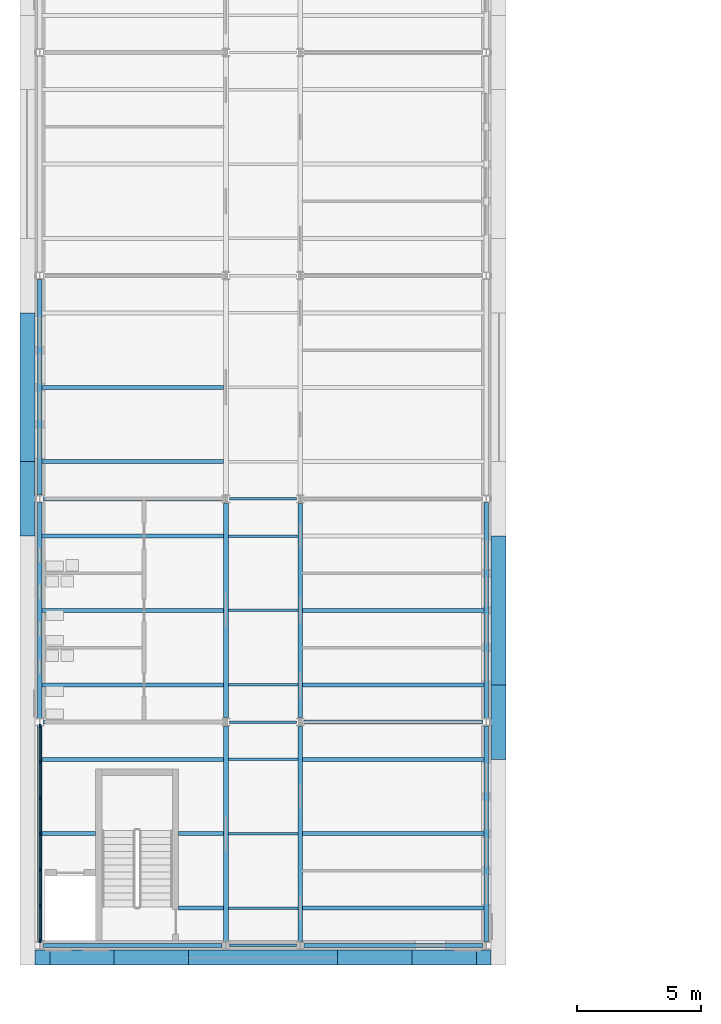
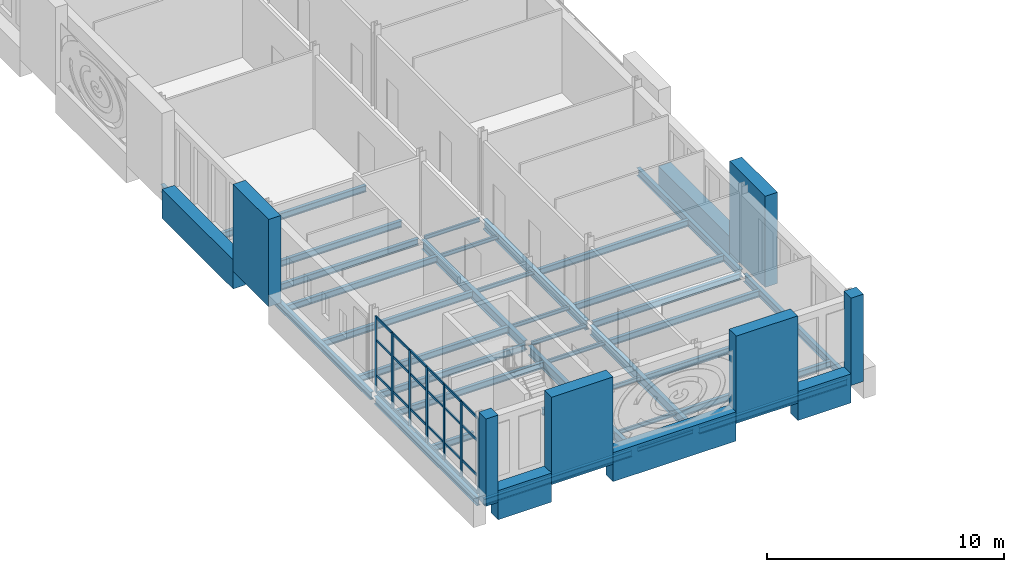
# One storey, part 24 of 131: 42 beams, 37 members, 1 element without a shape of its own.
"""IFC4 building model written with IfcOpenShell, lengths in metres."""

from ifc_helpers import new_model, si_unit, direction, frame, origin, origin_2d, place, context, subcontext, project, spatial, rectangle, i_section, extrude, material, layer, layer_set, material_profile, profile_set, type_object, element, aggregate, save


model = new_model("IFC4")

# Units and contexts
model_context = context("Model", 3, precision=1e-05, world=origin(), true_north=direction((0.0, 1.0)))
body_context = subcontext(model_context, "Body", "Model", "MODEL_VIEW")
ifc_project = project(units=[si_unit("LENGTHUNIT", "METRE"), si_unit("AREAUNIT", "SQUARE_METRE"), si_unit("VOLUMEUNIT", "CUBIC_METRE"), si_unit("PLANEANGLEUNIT", "RADIAN"), si_unit("MASSUNIT", "GRAM", prefix="KILO")], contexts=[model_context])

# Site, building, storey
site_placement = place(None, origin())
site = spatial("IfcSite", under=ifc_project, at=site_placement, CompositionType="ELEMENT")
building_placement = place(site_placement, origin())
building = spatial("IfcBuilding", under=site, at=building_placement, Name="Golden Quay Civic Hall", CompositionType="ELEMENT")
storey_placement = place(building_placement, frame((0.0, 0.0, 9.89990234375)))
storey = spatial("IfcBuildingStorey", under=building, at=storey_placement, Name="L02", CompositionType="ELEMENT", Elevation=9.89990234375)

# Curtain wall, members
ifc_material_1 = material(Name="Glass, laminated double glazed", Category="glass")
ifc_layer = layer(ifc_material_1, 0.199951171875)
ifc_layer_set = layer_set([ifc_layer], Name="Glazed core strip curtain wall")
curtain_wall_type = type_object("IfcCurtainWallType", Name="Glazed core strip curtain wall", PredefinedType="NOTDEFINED", material=ifc_layer_set)
curtain_wall_placement = place(storey_placement, origin())
curtain_wall = element("IfcCurtainWall", 1, at=curtain_wall_placement, inside=storey, type_object=curtain_wall_type, Name="Glazed core strip curtain wall L02 1", PredefinedType="NOTDEFINED")
ifc_material_2 = material(Name="Aluminium, anodised", Category="aluminium")
ifc_material_profile_1 = material_profile(ifc_material_2, rectangle(XDim=0.06005859375, YDim=0.159912109375, at=origin_2d()), Name="Aluminium 60 x 160")
ifc_profile_set_1 = profile_set([ifc_material_profile_1], Name="Aluminium, anodised")
member_type_1 = type_object("IfcMemberType", Name="Aluminium mullion 60 x 160", PredefinedType="MULLION", material=ifc_profile_set_1)
member_1_placement = place(storey_placement, frame((0.0, -8.824951171875, 0.0), z_axis=(0.0, 0.0, 1.0), x_axis=(-1.0, 0.0, 0.0)))
member_1 = element("IfcMember", 2, at=member_1_placement, type_object=member_type_1, Name="CW2 mullion 1", PredefinedType="MULLION", context=body_context, shape_type="SweptSolid", body=[
    extrude(rectangle(XDim=0.06005859375, YDim=0.159912109375, at=origin_2d()), origin(), (0.0, 0.0, 1.0), 3.900146484375),
])
member_2_placement = place(storey_placement, frame((0.0, -7.4033203125, 0.0), z_axis=(0.0, 0.0, 1.0), x_axis=(-1.0, 0.0, 0.0)))
member_2 = element("IfcMember", 3, at=member_2_placement, type_object=member_type_1, Name="CW2 mullion 2", PredefinedType="MULLION", context=body_context, shape_type="SweptSolid", body=[
    extrude(rectangle(XDim=0.06005859375, YDim=0.159912109375, at=origin_2d()), origin(), (0.0, 0.0, 1.0), 3.900146484375),
])
member_3_placement = place(storey_placement, frame((0.0, -5.95166015625, 0.0), z_axis=(0.0, 0.0, 1.0), x_axis=(-1.0, 0.0, 0.0)))
member_3 = element("IfcMember", 4, at=member_3_placement, type_object=member_type_1, Name="CW2 mullion 3", PredefinedType="MULLION", context=body_context, shape_type="SweptSolid", body=[
    extrude(rectangle(XDim=0.06005859375, YDim=0.159912109375, at=origin_2d()), origin(), (0.0, 0.0, 1.0), 3.900146484375),
])
member_4_placement = place(storey_placement, frame((0.0, -4.5, 0.0), z_axis=(0.0, 0.0, 1.0), x_axis=(-1.0, 0.0, 0.0)))
member_4 = element("IfcMember", 5, at=member_4_placement, type_object=member_type_1, Name="CW2 mullion 4", PredefinedType="MULLION", context=body_context, shape_type="SweptSolid", body=[
    extrude(rectangle(XDim=0.06005859375, YDim=0.159912109375, at=origin_2d()), origin(), (0.0, 0.0, 1.0), 3.900146484375),
])
member_5_placement = place(storey_placement, frame((0.0, -3.04833984375, 0.0), z_axis=(0.0, 0.0, 1.0), x_axis=(-1.0, 0.0, 0.0)))
member_5 = element("IfcMember", 6, at=member_5_placement, type_object=member_type_1, Name="CW2 mullion 5", PredefinedType="MULLION", context=body_context, shape_type="SweptSolid", body=[
    extrude(rectangle(XDim=0.06005859375, YDim=0.159912109375, at=origin_2d()), origin(), (0.0, 0.0, 1.0), 3.900146484375),
])
member_6_placement = place(storey_placement, frame((0.0, -1.5966796875, 0.0), z_axis=(0.0, 0.0, 1.0), x_axis=(-1.0, 0.0, 0.0)))
member_6 = element("IfcMember", 7, at=member_6_placement, type_object=member_type_1, Name="CW2 mullion 6", PredefinedType="MULLION", context=body_context, shape_type="SweptSolid", body=[
    extrude(rectangle(XDim=0.06005859375, YDim=0.159912109375, at=origin_2d()), origin(), (0.0, 0.0, 1.0), 3.900146484375),
])
member_7_placement = place(storey_placement, frame((0.0, -0.175048828125, 0.0), z_axis=(0.0, 0.0, 1.0), x_axis=(-1.0, 0.0, 0.0)))
member_7 = element("IfcMember", 8, at=member_7_placement, type_object=member_type_1, Name="CW2 mullion 7", PredefinedType="MULLION", context=body_context, shape_type="SweptSolid", body=[
    extrude(rectangle(XDim=0.06005859375, YDim=0.159912109375, at=origin_2d()), origin(), (0.0, 0.0, 1.0), 3.900146484375),
])
ifc_material_3 = material(Name="Aluminium, anodised", Category="aluminium")
ifc_material_profile_2 = material_profile(ifc_material_3, rectangle(XDim=0.06005859375, YDim=0.1201171875, at=origin_2d()), Name="Aluminium 60 x 120")
ifc_profile_set_2 = profile_set([ifc_material_profile_2], Name="Aluminium, anodised")
member_type_2 = type_object("IfcMemberType", Name="Aluminium transom 60 x 120", PredefinedType="USERDEFINED", material=ifc_profile_set_2)
member_8_placement = place(storey_placement, frame((0.0, -8.794921875, 0.030029296875), z_axis=(0.0, 1.0, 0.0), x_axis=(-1.0, 0.0, 0.0)))
member_8 = element("IfcMember", 9, at=member_8_placement, type_object=member_type_2, Name="CW2 transom 1.1", ObjectType="TRANSOM", PredefinedType="USERDEFINED", context=body_context, shape_type="SweptSolid", body=[
    extrude(rectangle(XDim=0.06005859375, YDim=0.1201171875, at=origin_2d()), origin(), (0.0, 0.0, 1.0), 1.361572265625),
])
member_9_placement = place(storey_placement, frame((0.0, -8.794921875, 0.900146484375), z_axis=(0.0, 1.0, 0.0), x_axis=(-1.0, 0.0, 0.0)))
member_9 = element("IfcMember", 10, at=member_9_placement, type_object=member_type_2, Name="CW2 transom 1.2", ObjectType="TRANSOM", PredefinedType="USERDEFINED", context=body_context, shape_type="SweptSolid", body=[
    extrude(rectangle(XDim=0.06005859375, YDim=0.1201171875, at=origin_2d()), origin(), (0.0, 0.0, 1.0), 1.361572265625),
])
member_10_placement = place(storey_placement, frame((0.0, -8.794921875, 2.7001953125), z_axis=(0.0, 1.0, 0.0), x_axis=(-1.0, 0.0, 0.0)))
member_10 = element("IfcMember", 11, at=member_10_placement, type_object=member_type_2, Name="CW2 transom 1.3", ObjectType="TRANSOM", PredefinedType="USERDEFINED", context=body_context, shape_type="SweptSolid", body=[
    extrude(rectangle(XDim=0.06005859375, YDim=0.1201171875, at=origin_2d()), origin(), (0.0, 0.0, 1.0), 1.361572265625),
])
member_11_placement = place(storey_placement, frame((0.0, -8.794921875, 3.8701171875), z_axis=(0.0, 1.0, 0.0), x_axis=(-1.0, 0.0, 0.0)))
member_11 = element("IfcMember", 12, at=member_11_placement, type_object=member_type_2, Name="CW2 transom 1.4", ObjectType="TRANSOM", PredefinedType="USERDEFINED", context=body_context, shape_type="SweptSolid", body=[
    extrude(rectangle(XDim=0.06005859375, YDim=0.1201171875, at=origin_2d()), origin(), (0.0, 0.0, 1.0), 1.361572265625),
])
member_12_placement = place(storey_placement, frame((0.0, -7.373291015625, 0.030029296875), z_axis=(0.0, 1.0, 0.0), x_axis=(-1.0, 0.0, 0.0)))
member_12 = element("IfcMember", 13, at=member_12_placement, type_object=member_type_2, Name="CW2 transom 2.1", ObjectType="TRANSOM", PredefinedType="USERDEFINED", context=body_context, shape_type="SweptSolid", body=[
    extrude(rectangle(XDim=0.06005859375, YDim=0.1201171875, at=origin_2d()), origin(), (0.0, 0.0, 1.0), 1.3916015625),
])
member_13_placement = place(storey_placement, frame((0.0, -7.373291015625, 0.900146484375), z_axis=(0.0, 1.0, 0.0), x_axis=(-1.0, 0.0, 0.0)))
member_13 = element("IfcMember", 14, at=member_13_placement, type_object=member_type_2, Name="CW2 transom 2.2", ObjectType="TRANSOM", PredefinedType="USERDEFINED", context=body_context, shape_type="SweptSolid", body=[
    extrude(rectangle(XDim=0.06005859375, YDim=0.1201171875, at=origin_2d()), origin(), (0.0, 0.0, 1.0), 1.3916015625),
])
member_14_placement = place(storey_placement, frame((0.0, -7.373291015625, 2.7001953125), z_axis=(0.0, 1.0, 0.0), x_axis=(-1.0, 0.0, 0.0)))
member_14 = element("IfcMember", 15, at=member_14_placement, type_object=member_type_2, Name="CW2 transom 2.3", ObjectType="TRANSOM", PredefinedType="USERDEFINED", context=body_context, shape_type="SweptSolid", body=[
    extrude(rectangle(XDim=0.06005859375, YDim=0.1201171875, at=origin_2d()), origin(), (0.0, 0.0, 1.0), 1.3916015625),
])
member_15_placement = place(storey_placement, frame((0.0, -7.373291015625, 3.8701171875), z_axis=(0.0, 1.0, 0.0), x_axis=(-1.0, 0.0, 0.0)))
member_15 = element("IfcMember", 16, at=member_15_placement, type_object=member_type_2, Name="CW2 transom 2.4", ObjectType="TRANSOM", PredefinedType="USERDEFINED", context=body_context, shape_type="SweptSolid", body=[
    extrude(rectangle(XDim=0.06005859375, YDim=0.1201171875, at=origin_2d()), origin(), (0.0, 0.0, 1.0), 1.3916015625),
])
member_16_placement = place(storey_placement, frame((0.0, -5.921630859375, 0.030029296875), z_axis=(0.0, 1.0, 0.0), x_axis=(-1.0, 0.0, 0.0)))
member_16 = element("IfcMember", 17, at=member_16_placement, type_object=member_type_2, Name="CW2 transom 3.1", ObjectType="TRANSOM", PredefinedType="USERDEFINED", context=body_context, shape_type="SweptSolid", body=[
    extrude(rectangle(XDim=0.06005859375, YDim=0.1201171875, at=origin_2d()), origin(), (0.0, 0.0, 1.0), 1.3916015625),
])
member_17_placement = place(storey_placement, frame((0.0, -5.921630859375, 0.900146484375), z_axis=(0.0, 1.0, 0.0), x_axis=(-1.0, 0.0, 0.0)))
member_17 = element("IfcMember", 18, at=member_17_placement, type_object=member_type_2, Name="CW2 transom 3.2", ObjectType="TRANSOM", PredefinedType="USERDEFINED", context=body_context, shape_type="SweptSolid", body=[
    extrude(rectangle(XDim=0.06005859375, YDim=0.1201171875, at=origin_2d()), origin(), (0.0, 0.0, 1.0), 1.3916015625),
])
member_18_placement = place(storey_placement, frame((0.0, -5.921630859375, 2.7001953125), z_axis=(0.0, 1.0, 0.0), x_axis=(-1.0, 0.0, 0.0)))
member_18 = element("IfcMember", 19, at=member_18_placement, type_object=member_type_2, Name="CW2 transom 3.3", ObjectType="TRANSOM", PredefinedType="USERDEFINED", context=body_context, shape_type="SweptSolid", body=[
    extrude(rectangle(XDim=0.06005859375, YDim=0.1201171875, at=origin_2d()), origin(), (0.0, 0.0, 1.0), 1.3916015625),
])
member_19_placement = place(storey_placement, frame((0.0, -5.921630859375, 3.8701171875), z_axis=(0.0, 1.0, 0.0), x_axis=(-1.0, 0.0, 0.0)))
member_19 = element("IfcMember", 20, at=member_19_placement, type_object=member_type_2, Name="CW2 transom 3.4", ObjectType="TRANSOM", PredefinedType="USERDEFINED", context=body_context, shape_type="SweptSolid", body=[
    extrude(rectangle(XDim=0.06005859375, YDim=0.1201171875, at=origin_2d()), origin(), (0.0, 0.0, 1.0), 1.3916015625),
])
member_20_placement = place(storey_placement, frame((0.0, -4.469970703125, 0.030029296875), z_axis=(0.0, 1.0, 0.0), x_axis=(-1.0, 0.0, 0.0)))
member_20 = element("IfcMember", 21, at=member_20_placement, type_object=member_type_2, Name="CW2 transom 4.1", ObjectType="TRANSOM", PredefinedType="USERDEFINED", context=body_context, shape_type="SweptSolid", body=[
    extrude(rectangle(XDim=0.06005859375, YDim=0.1201171875, at=origin_2d()), origin(), (0.0, 0.0, 1.0), 1.3916015625),
])
member_21_placement = place(storey_placement, frame((0.0, -4.469970703125, 0.900146484375), z_axis=(0.0, 1.0, 0.0), x_axis=(-1.0, 0.0, 0.0)))
member_21 = element("IfcMember", 22, at=member_21_placement, type_object=member_type_2, Name="CW2 transom 4.2", ObjectType="TRANSOM", PredefinedType="USERDEFINED", context=body_context, shape_type="SweptSolid", body=[
    extrude(rectangle(XDim=0.06005859375, YDim=0.1201171875, at=origin_2d()), origin(), (0.0, 0.0, 1.0), 1.3916015625),
])
member_22_placement = place(storey_placement, frame((0.0, -4.469970703125, 2.7001953125), z_axis=(0.0, 1.0, 0.0), x_axis=(-1.0, 0.0, 0.0)))
member_22 = element("IfcMember", 23, at=member_22_placement, type_object=member_type_2, Name="CW2 transom 4.3", ObjectType="TRANSOM", PredefinedType="USERDEFINED", context=body_context, shape_type="SweptSolid", body=[
    extrude(rectangle(XDim=0.06005859375, YDim=0.1201171875, at=origin_2d()), origin(), (0.0, 0.0, 1.0), 1.3916015625),
])
member_23_placement = place(storey_placement, frame((0.0, -4.469970703125, 3.8701171875), z_axis=(0.0, 1.0, 0.0), x_axis=(-1.0, 0.0, 0.0)))
member_23 = element("IfcMember", 24, at=member_23_placement, type_object=member_type_2, Name="CW2 transom 4.4", ObjectType="TRANSOM", PredefinedType="USERDEFINED", context=body_context, shape_type="SweptSolid", body=[
    extrude(rectangle(XDim=0.06005859375, YDim=0.1201171875, at=origin_2d()), origin(), (0.0, 0.0, 1.0), 1.3916015625),
])
member_24_placement = place(storey_placement, frame((0.0, -3.018310546875, 0.030029296875), z_axis=(0.0, 1.0, 0.0), x_axis=(-1.0, 0.0, 0.0)))
member_24 = element("IfcMember", 25, at=member_24_placement, type_object=member_type_2, Name="CW2 transom 5.1", ObjectType="TRANSOM", PredefinedType="USERDEFINED", context=body_context, shape_type="SweptSolid", body=[
    extrude(rectangle(XDim=0.06005859375, YDim=0.1201171875, at=origin_2d()), origin(), (0.0, 0.0, 1.0), 1.3916015625),
])
member_25_placement = place(storey_placement, frame((0.0, -3.018310546875, 0.900146484375), z_axis=(0.0, 1.0, 0.0), x_axis=(-1.0, 0.0, 0.0)))
member_25 = element("IfcMember", 26, at=member_25_placement, type_object=member_type_2, Name="CW2 transom 5.2", ObjectType="TRANSOM", PredefinedType="USERDEFINED", context=body_context, shape_type="SweptSolid", body=[
    extrude(rectangle(XDim=0.06005859375, YDim=0.1201171875, at=origin_2d()), origin(), (0.0, 0.0, 1.0), 1.3916015625),
])
member_26_placement = place(storey_placement, frame((0.0, -3.018310546875, 2.7001953125), z_axis=(0.0, 1.0, 0.0), x_axis=(-1.0, 0.0, 0.0)))
member_26 = element("IfcMember", 27, at=member_26_placement, type_object=member_type_2, Name="CW2 transom 5.3", ObjectType="TRANSOM", PredefinedType="USERDEFINED", context=body_context, shape_type="SweptSolid", body=[
    extrude(rectangle(XDim=0.06005859375, YDim=0.1201171875, at=origin_2d()), origin(), (0.0, 0.0, 1.0), 1.3916015625),
])
member_27_placement = place(storey_placement, frame((0.0, -3.018310546875, 3.8701171875), z_axis=(0.0, 1.0, 0.0), x_axis=(-1.0, 0.0, 0.0)))
member_27 = element("IfcMember", 28, at=member_27_placement, type_object=member_type_2, Name="CW2 transom 5.4", ObjectType="TRANSOM", PredefinedType="USERDEFINED", context=body_context, shape_type="SweptSolid", body=[
    extrude(rectangle(XDim=0.06005859375, YDim=0.1201171875, at=origin_2d()), origin(), (0.0, 0.0, 1.0), 1.3916015625),
])
member_28_placement = place(storey_placement, frame((0.0, -1.566650390625, 0.030029296875), z_axis=(0.0, 1.0, 0.0), x_axis=(-1.0, 0.0, 0.0)))
member_28 = element("IfcMember", 29, at=member_28_placement, type_object=member_type_2, Name="CW2 transom 6.1", ObjectType="TRANSOM", PredefinedType="USERDEFINED", context=body_context, shape_type="SweptSolid", body=[
    extrude(rectangle(XDim=0.06005859375, YDim=0.1201171875, at=origin_2d()), origin(), (0.0, 0.0, 1.0), 1.361572265625),
])
member_29_placement = place(storey_placement, frame((0.0, -1.566650390625, 0.900146484375), z_axis=(0.0, 1.0, 0.0), x_axis=(-1.0, 0.0, 0.0)))
member_29 = element("IfcMember", 30, at=member_29_placement, type_object=member_type_2, Name="CW2 transom 6.2", ObjectType="TRANSOM", PredefinedType="USERDEFINED", context=body_context, shape_type="SweptSolid", body=[
    extrude(rectangle(XDim=0.06005859375, YDim=0.1201171875, at=origin_2d()), origin(), (0.0, 0.0, 1.0), 1.361572265625),
])
member_30_placement = place(storey_placement, frame((0.0, -1.566650390625, 2.7001953125), z_axis=(0.0, 1.0, 0.0), x_axis=(-1.0, 0.0, 0.0)))
member_30 = element("IfcMember", 31, at=member_30_placement, type_object=member_type_2, Name="CW2 transom 6.3", ObjectType="TRANSOM", PredefinedType="USERDEFINED", context=body_context, shape_type="SweptSolid", body=[
    extrude(rectangle(XDim=0.06005859375, YDim=0.1201171875, at=origin_2d()), origin(), (0.0, 0.0, 1.0), 1.361572265625),
])
member_31_placement = place(storey_placement, frame((0.0, -1.566650390625, 3.8701171875), z_axis=(0.0, 1.0, 0.0), x_axis=(-1.0, 0.0, 0.0)))
member_31 = element("IfcMember", 32, at=member_31_placement, type_object=member_type_2, Name="CW2 transom 6.4", ObjectType="TRANSOM", PredefinedType="USERDEFINED", context=body_context, shape_type="SweptSolid", body=[
    extrude(rectangle(XDim=0.06005859375, YDim=0.1201171875, at=origin_2d()), origin(), (0.0, 0.0, 1.0), 1.361572265625),
])
aggregate(curtain_wall, [member_1, member_2, member_3, member_4, member_5, member_6, member_7, member_8, member_9, member_10, member_11, member_12, member_13, member_14, member_15, member_16, member_17, member_18, member_19, member_20, member_21, member_22, member_23, member_24, member_25, member_26, member_27, member_28, member_29, member_30, member_31])

# Members
ifc_material_4 = material(Name="Concrete C40/50", Category="concrete")
ifc_material_profile_3 = material_profile(ifc_material_4, rectangle(XDim=3.0, YDim=0.60009765625, at=origin_2d()), Name="RC 3000x600")
ifc_profile_set_3 = profile_set([ifc_material_profile_3], Name="Concrete C40/50")
member_type_3 = type_object("IfcMemberType", Name="Precast concrete facade pier 3000 x 600", PredefinedType="POST", material=ifc_profile_set_3)
member_32_placement = place(storey_placement, frame((-0.5, 9.0, 0.0), z_axis=(0.0, 0.0, 1.0), x_axis=(0.0, 1.0, 0.0)))
element("IfcMember", 33, at=member_32_placement, inside=storey, type_object=member_type_3, Name="Precast concrete facade pier 3000 x 600 L02 1", PredefinedType="POST", context=body_context, shape_type="SweptSolid", body=[
    extrude(rectangle(XDim=3.0, YDim=0.60009765625, at=origin_2d()), origin(), (0.0, 0.0, 1.0), 4.5),
])
member_33_placement = place(storey_placement, frame((18.5, 0.0, -0.199951171875), z_axis=(0.0, 0.0, 1.0), x_axis=(0.0, 1.0, 0.0)))
element("IfcMember", 34, at=member_33_placement, inside=storey, type_object=member_type_3, Name="Precast concrete facade pier 3000 x 600 L02 11", PredefinedType="POST", context=body_context, shape_type="SweptSolid", body=[
    extrude(rectangle(XDim=3.0, YDim=0.60009765625, at=origin_2d()), origin(), (0.0, 0.0, 1.0), 4.699951171875),
])
for number, where, z_axis, x_axis, name in (
    (35, (4.5, -9.5, 0.0), (0.0, 0.0, 1.0), (1.0, 0.0, 0.0), "Precast concrete facade pier 3000 x 600 L02 17"),
    (36, (13.5, -9.5, 0.0), (0.0, 0.0, 1.0), (1.0, 0.0, 0.0), "Precast concrete facade pier 3000 x 600 L02 18"),
):
    element("IfcMember", number, at=place(storey_placement, frame(where, z_axis=z_axis, x_axis=x_axis)), inside=storey, type_object=member_type_3, Name=name, PredefinedType="POST", context=body_context, shape_type="SweptSolid", body=[
        extrude(rectangle(XDim=3.0, YDim=0.60009765625, at=origin_2d()), origin(), (0.0, 0.0, 1.0), 4.5),
    ])
ifc_material_5 = material(Name="Concrete C40/50", Category="concrete")
ifc_material_profile_4 = material_profile(ifc_material_5, rectangle(XDim=0.60009765625, YDim=0.60009765625, at=origin_2d()), Name="RC 600x600")
ifc_profile_set_4 = profile_set([ifc_material_profile_4], Name="Concrete C40/50")
member_type_4 = type_object("IfcMemberType", Name="Precast concrete facade post 600 x 600", PredefinedType="POST", material=ifc_profile_set_4)
for number, where, z_axis, x_axis, name in (
    (37, (0.10009765625, -9.5, 0.0), (0.0, 0.0, 1.0), (1.0, 0.0, 0.0), "Precast concrete facade post 600 x 600 L02 4"),
    (38, (17.89990234375, -9.5, 0.0), (0.0, 0.0, 1.0), (1.0, 0.0, 0.0), "Precast concrete facade post 600 x 600 L02 5"),
):
    element("IfcMember", number, at=place(storey_placement, frame(where, z_axis=z_axis, x_axis=x_axis)), inside=storey, type_object=member_type_4, Name=name, PredefinedType="POST", context=body_context, shape_type="SweptSolid", body=[
        extrude(rectangle(XDim=0.60009765625, YDim=0.60009765625, at=origin_2d()), origin(), (0.0, 0.0, 1.0), 4.5),
    ])

# Beams
ifc_material_6 = material(Name="Concrete C40/50", Category="concrete")
ifc_material_profile_5 = material_profile(ifc_material_6, rectangle(XDim=0.60009765625, YDim=1.5, at=origin_2d()), Name="RC 600x1500")
ifc_profile_set_5 = profile_set([ifc_material_profile_5], Name="Concrete C40/50")
beam_type_1 = type_object("IfcBeamType", Name="Precast concrete spandrel beam 600 x 1500", PredefinedType="SPANDREL", material=ifc_profile_set_5)
beam_1_placement = place(storey_placement, frame((-0.5, 10.5, -0.14990234375), z_axis=(0.0, 1.0, 0.0), x_axis=(-1.0, 0.0, 0.0)))
element("IfcBeam", 39, at=beam_1_placement, inside=storey, type_object=beam_type_1, Name="Precast concrete spandrel beam 600 x 1500 L02 11", PredefinedType="SPANDREL", context=body_context, shape_type="SweptSolid", body=[
    extrude(rectangle(XDim=0.60009765625, YDim=1.5, at=origin_2d()), origin(), (0.0, 0.0, 1.0), 6.0),
])
for number, where, z_axis, x_axis, name in (
    (40, (0.39990234375, -9.5, -0.14990234375), (1.0, 0.0, 0.0), (0.0, 1.0, 0.0), "Precast concrete spandrel beam 600 x 1500 L02 12"),
    (41, (15.0, -9.5, -0.14990234375), (1.0, 0.0, 0.0), (0.0, 1.0, 0.0), "Precast concrete spandrel beam 600 x 1500 L02 13"),
):
    element("IfcBeam", number, at=place(storey_placement, frame(where, z_axis=z_axis, x_axis=x_axis)), inside=storey, type_object=beam_type_1, Name=name, PredefinedType="SPANDREL", context=body_context, shape_type="SweptSolid", body=[
        extrude(rectangle(XDim=0.60009765625, YDim=1.5, at=origin_2d()), origin(), (0.0, 0.0, 1.0), 2.60009765625),
    ])
for number, where, z_axis, x_axis, name in (
    (42, (6.0, -9.5, -0.14990234375), (1.0, 0.0, 0.0), (0.0, 1.0, 0.0), "Precast concrete spandrel beam 600 x 1500 L02 14"),
    (43, (18.5, 1.5, -0.14990234375), (0.0, 1.0, 0.0), (-1.0, 0.0, 0.0), "Precast concrete spandrel beam 600 x 1500 L02 19"),
):
    element("IfcBeam", number, at=place(storey_placement, frame(where, z_axis=z_axis, x_axis=x_axis)), inside=storey, type_object=beam_type_1, Name=name, PredefinedType="SPANDREL", context=body_context, shape_type="SweptSolid", body=[
        extrude(rectangle(XDim=0.60009765625, YDim=1.5, at=origin_2d()), origin(), (0.0, 0.0, 1.0), 6.0),
    ])
ifc_material_7 = material(Name="Steel S355", Category="steel")
ifc_material_profile_6 = material_profile(ifc_material_7, i_section(OverallWidth=0.10009765625, OverallDepth=0.199951171875, WebThickness=0.005615234375, FlangeThickness=0.008544921875, FilletRadius=0.011962890625, at=origin_2d()), Name="IPE 200")
ifc_profile_set_6 = profile_set([ifc_material_profile_6], Name="Steel S355")
beam_type_2 = type_object("IfcBeamType", Name="Steel beam IPE 200", PredefinedType="BEAM", material=ifc_profile_set_6)
for number, where, z_axis, x_axis, name in (
    (44, (7.64990234375, -9.0, -0.2998046875), (1.0, 0.0, 0.0), (0.0, 1.0, 0.0), "Beam S-9-7.5"),
    (45, (7.64990234375, 0.0, -0.2998046875), (1.0, 0.0, 0.0), (0.0, 1.0, 0.0), "Beam S0-7.5"),
    (46, (7.64990234375, 9.0, -0.2998046875), (1.0, 0.0, 0.0), (0.0, 1.0, 0.0), "Beam S9-7.5"),
):
    element("IfcBeam", number, at=place(storey_placement, frame(where, z_axis=z_axis, x_axis=x_axis)), inside=storey, type_object=beam_type_2, Name=name, PredefinedType="BEAM", context=body_context, shape_type="SweptSolid", body=[
        extrude(i_section(OverallWidth=0.10009765625, OverallDepth=0.199951171875, WebThickness=0.005615234375, FlangeThickness=0.008544921875, FilletRadius=0.011962890625, at=origin_2d()), origin(), (0.0, 0.0, 1.0), 2.7001953125),
    ])
ifc_material_8 = material(Name="Steel S355", Category="steel")
ifc_material_profile_7 = material_profile(ifc_material_8, i_section(OverallWidth=0.159912109375, OverallDepth=0.330078125, WebThickness=0.007568359375, FlangeThickness=0.011474609375, FilletRadius=0.01806640625, at=origin_2d()), Name="IPE 330")
ifc_profile_set_7 = profile_set([ifc_material_profile_7], Name="Steel S355")
beam_type_3 = type_object("IfcBeamType", Name="Steel beam IPE 330", PredefinedType="BEAM", material=ifc_profile_set_7)
for number, where, z_axis, x_axis, name in (
    (47, (0.14990234375, -9.0, -0.364990234375), (1.0, 0.0, 0.0), (0.0, 1.0, 0.0), "Beam S-9-0"),
    (48, (10.64990234375, -9.0, -0.364990234375), (1.0, 0.0, 0.0), (0.0, 1.0, 0.0), "Beam S-9-10.5"),
    (49, (0.14990234375, 0.0, -0.364990234375), (1.0, 0.0, 0.0), (0.0, 1.0, 0.0), "Beam S0-0"),
    (50, (10.64990234375, 0.0, -0.364990234375), (1.0, 0.0, 0.0), (0.0, 1.0, 0.0), "Beam S0-10.5"),
    (51, (0.14990234375, 9.0, -0.364990234375), (1.0, 0.0, 0.0), (0.0, 1.0, 0.0), "Beam S9-0"),
):
    element("IfcBeam", number, at=place(storey_placement, frame(where, z_axis=z_axis, x_axis=x_axis)), inside=storey, type_object=beam_type_3, Name=name, PredefinedType="BEAM", context=body_context, shape_type="SweptSolid", body=[
        extrude(i_section(OverallWidth=0.159912109375, OverallDepth=0.330078125, WebThickness=0.007568359375, FlangeThickness=0.011474609375, FilletRadius=0.01806640625, at=origin_2d()), origin(), (0.0, 0.0, 1.0), 7.2001953125),
    ])
ifc_material_9 = material(Name="Steel S355", Category="steel")
ifc_material_profile_8 = material_profile(ifc_material_9, i_section(OverallWidth=0.179931640625, OverallDepth=0.39990234375, WebThickness=0.008544921875, FlangeThickness=0.013427734375, FilletRadius=0.02099609375, at=origin_2d()), Name="IPE 400")
ifc_profile_set_8 = profile_set([ifc_material_profile_8], Name="Steel S355")
beam_type_4 = type_object("IfcBeamType", Name="Steel beam IPE 400", PredefinedType="BEAM", material=ifc_profile_set_8)
for number, where, z_axis, x_axis, name in (
    (52, (0.0, -8.85009765625, -0.39990234375), (0.0, 1.0, 0.0), (-1.0, 0.0, 0.0), "Beam L0--9"),
    (53, (0.0, 0.14990234375, -0.39990234375), (0.0, 1.0, 0.0), (-1.0, 0.0, 0.0), "Beam L0-0"),
    (54, (0.0, 9.14990234375, -0.39990234375), (0.0, 1.0, 0.0), (-1.0, 0.0, 0.0), "Beam L0-9"),
    (55, (18.0, -8.85009765625, -0.39990234375), (0.0, 1.0, 0.0), (-1.0, 0.0, 0.0), "Beam L18--9"),
    (56, (18.0, 0.14990234375, -0.39990234375), (0.0, 1.0, 0.0), (-1.0, 0.0, 0.0), "Beam L18-0"),
):
    element("IfcBeam", number, at=place(storey_placement, frame(where, z_axis=z_axis, x_axis=x_axis)), inside=storey, type_object=beam_type_4, Name=name, PredefinedType="BEAM", context=body_context, shape_type="SweptSolid", body=[
        extrude(i_section(OverallWidth=0.179931640625, OverallDepth=0.39990234375, WebThickness=0.008544921875, FlangeThickness=0.013427734375, FilletRadius=0.02099609375, at=origin_2d()), origin(), (0.0, 0.0, 1.0), 8.7001953125),
    ])
ifc_material_10 = material(Name="Steel S355", Category="steel")
ifc_material_profile_9 = material_profile(ifc_material_10, i_section(OverallWidth=0.199951171875, OverallDepth=0.5, WebThickness=0.01025390625, FlangeThickness=0.01611328125, FilletRadius=0.02099609375, at=origin_2d()), Name="IPE 500")
ifc_profile_set_9 = profile_set([ifc_material_profile_9], Name="Steel S355")
beam_type_5 = type_object("IfcBeamType", Name="Steel beam IPE 500", PredefinedType="BEAM", material=ifc_profile_set_9)
beam_2_placement = place(storey_placement, frame((7.5, -8.85009765625, -0.449951171875), z_axis=(0.0, 1.0, 0.0), x_axis=(-1.0, 0.0, 0.0)))
element("IfcBeam", 57, at=beam_2_placement, inside=storey, type_object=beam_type_5, Name="Beam L7.5--9", PredefinedType="BEAM", context=body_context, shape_type="SweptSolid", body=[
    extrude(i_section(OverallWidth=0.199951171875, OverallDepth=0.5, WebThickness=0.01025390625, FlangeThickness=0.01611328125, FilletRadius=0.02099609375, at=origin_2d()), origin(), (0.0, 0.0, 1.0), 8.670166015625),
])
beam_3_placement = place(storey_placement, frame((7.5, 0.179931640625, -0.449951171875), z_axis=(0.0, 1.0, 0.0), x_axis=(-1.0, 0.0, 0.0)))
element("IfcBeam", 58, at=beam_3_placement, inside=storey, type_object=beam_type_5, Name="Beam L7.5-0", PredefinedType="BEAM", context=body_context, shape_type="SweptSolid", body=[
    extrude(i_section(OverallWidth=0.199951171875, OverallDepth=0.5, WebThickness=0.01025390625, FlangeThickness=0.01611328125, FilletRadius=0.02099609375, at=origin_2d()), origin(), (0.0, 0.0, 1.0), 8.64013671875),
])
beam_4_placement = place(storey_placement, frame((10.5, -8.85009765625, -0.449951171875), z_axis=(0.0, 1.0, 0.0), x_axis=(-1.0, 0.0, 0.0)))
element("IfcBeam", 59, at=beam_4_placement, inside=storey, type_object=beam_type_5, Name="Beam L10.5--9", PredefinedType="BEAM", context=body_context, shape_type="SweptSolid", body=[
    extrude(i_section(OverallWidth=0.199951171875, OverallDepth=0.5, WebThickness=0.01025390625, FlangeThickness=0.01611328125, FilletRadius=0.02099609375, at=origin_2d()), origin(), (0.0, 0.0, 1.0), 8.670166015625),
])
beam_5_placement = place(storey_placement, frame((10.5, 0.179931640625, -0.449951171875), z_axis=(0.0, 1.0, 0.0), x_axis=(-1.0, 0.0, 0.0)))
element("IfcBeam", 60, at=beam_5_placement, inside=storey, type_object=beam_type_5, Name="Beam L10.5-0", PredefinedType="BEAM", context=body_context, shape_type="SweptSolid", body=[
    extrude(i_section(OverallWidth=0.199951171875, OverallDepth=0.5, WebThickness=0.01025390625, FlangeThickness=0.01611328125, FilletRadius=0.02099609375, at=origin_2d()), origin(), (0.0, 0.0, 1.0), 8.64013671875),
])
ifc_material_11 = material(Name="Steel S355", Category="steel")
ifc_material_profile_10 = material_profile(ifc_material_11, i_section(OverallWidth=0.10009765625, OverallDepth=0.199951171875, WebThickness=0.005615234375, FlangeThickness=0.008544921875, FilletRadius=0.011962890625, at=origin_2d()), Name="IPE 200")
ifc_profile_set_10 = profile_set([ifc_material_profile_10], Name="Steel S355")
beam_type_6 = type_object("IfcBeamType", Name="Steel joist IPE 200", PredefinedType="JOIST", material=ifc_profile_set_10)
for number, where, z_axis, x_axis, name in (
    (61, (7.60009765625, -7.5, -0.2998046875), (1.0, 0.0, 0.0), (0.0, 1.0, 0.0), "Joist J-7.5-7.5"),
    (62, (7.60009765625, -4.5, -0.2998046875), (1.0, 0.0, 0.0), (0.0, 1.0, 0.0), "Joist J-4.5-7.5"),
    (63, (7.60009765625, -1.5, -0.2998046875), (1.0, 0.0, 0.0), (0.0, 1.0, 0.0), "Joist J-1.5-7.5"),
    (64, (7.60009765625, 1.5, -0.2998046875), (1.0, 0.0, 0.0), (0.0, 1.0, 0.0), "Joist J1.5-7.5"),
    (65, (7.60009765625, 4.5, -0.2998046875), (1.0, 0.0, 0.0), (0.0, 1.0, 0.0), "Joist J4.5-7.5"),
    (66, (7.60009765625, 7.5, -0.2998046875), (1.0, 0.0, 0.0), (0.0, 1.0, 0.0), "Joist J7.5-7.5"),
):
    element("IfcBeam", number, at=place(storey_placement, frame(where, z_axis=z_axis, x_axis=x_axis)), inside=storey, type_object=beam_type_6, Name=name, PredefinedType="JOIST", context=body_context, shape_type="SweptSolid", body=[
        extrude(i_section(OverallWidth=0.10009765625, OverallDepth=0.199951171875, WebThickness=0.005615234375, FlangeThickness=0.008544921875, FilletRadius=0.011962890625, at=origin_2d()), origin(), (0.0, 0.0, 1.0), 2.7998046875),
    ])
ifc_material_12 = material(Name="Steel S355", Category="steel")
ifc_material_profile_11 = material_profile(ifc_material_12, i_section(OverallWidth=0.159912109375, OverallDepth=0.330078125, WebThickness=0.007568359375, FlangeThickness=0.011474609375, FilletRadius=0.01806640625, at=origin_2d()), Name="IPE 330")
ifc_profile_set_11 = profile_set([ifc_material_profile_11], Name="Steel S355")
beam_type_7 = type_object("IfcBeamType", Name="Steel joist IPE 330", PredefinedType="JOIST", material=ifc_profile_set_11)
beam_6_placement = place(storey_placement, frame((5.60009765625, -7.5, -0.364990234375), z_axis=(1.0, 0.0, 0.0), x_axis=(0.0, 1.0, 0.0)))
element("IfcBeam", 67, at=beam_6_placement, inside=storey, type_object=beam_type_7, Name="Joist J-7.5-0-1", PredefinedType="JOIST", context=body_context, shape_type="SweptSolid", body=[
    extrude(i_section(OverallWidth=0.159912109375, OverallDepth=0.330078125, WebThickness=0.007568359375, FlangeThickness=0.011474609375, FilletRadius=0.01806640625, at=origin_2d()), origin(), (0.0, 0.0, 1.0), 1.7998046875),
])
beam_7_placement = place(storey_placement, frame((10.60009765625, -7.5, -0.364990234375), z_axis=(1.0, 0.0, 0.0), x_axis=(0.0, 1.0, 0.0)))
element("IfcBeam", 68, at=beam_7_placement, inside=storey, type_object=beam_type_7, Name="Joist J-7.5-10.5", PredefinedType="JOIST", context=body_context, shape_type="SweptSolid", body=[
    extrude(i_section(OverallWidth=0.159912109375, OverallDepth=0.330078125, WebThickness=0.007568359375, FlangeThickness=0.011474609375, FilletRadius=0.01806640625, at=origin_2d()), origin(), (0.0, 0.0, 1.0), 7.309814453125),
])
beam_8_placement = place(storey_placement, frame((0.090087890625, -4.5, -0.364990234375), z_axis=(1.0, 0.0, 0.0), x_axis=(0.0, 1.0, 0.0)))
element("IfcBeam", 69, at=beam_8_placement, inside=storey, type_object=beam_type_7, Name="Joist J-4.5-0-0", PredefinedType="JOIST", context=body_context, shape_type="SweptSolid", body=[
    extrude(i_section(OverallWidth=0.159912109375, OverallDepth=0.330078125, WebThickness=0.007568359375, FlangeThickness=0.011474609375, FilletRadius=0.01806640625, at=origin_2d()), origin(), (0.0, 0.0, 1.0), 2.159912109375),
])
beam_9_placement = place(storey_placement, frame((5.60009765625, -4.5, -0.364990234375), z_axis=(1.0, 0.0, 0.0), x_axis=(0.0, 1.0, 0.0)))
element("IfcBeam", 70, at=beam_9_placement, inside=storey, type_object=beam_type_7, Name="Joist J-4.5-0-1", PredefinedType="JOIST", context=body_context, shape_type="SweptSolid", body=[
    extrude(i_section(OverallWidth=0.159912109375, OverallDepth=0.330078125, WebThickness=0.007568359375, FlangeThickness=0.011474609375, FilletRadius=0.01806640625, at=origin_2d()), origin(), (0.0, 0.0, 1.0), 1.7998046875),
])
for number, where, z_axis, x_axis, name in (
    (71, (10.60009765625, -4.5, -0.364990234375), (1.0, 0.0, 0.0), (0.0, 1.0, 0.0), "Joist J-4.5-10.5"),
    (72, (0.090087890625, -1.5, -0.364990234375), (1.0, 0.0, 0.0), (0.0, 1.0, 0.0), "Joist J-1.5-0"),
    (73, (10.60009765625, -1.5, -0.364990234375), (1.0, 0.0, 0.0), (0.0, 1.0, 0.0), "Joist J-1.5-10.5"),
    (74, (0.090087890625, 1.5, -0.364990234375), (1.0, 0.0, 0.0), (0.0, 1.0, 0.0), "Joist J1.5-0"),
    (75, (10.60009765625, 1.5, -0.364990234375), (1.0, 0.0, 0.0), (0.0, 1.0, 0.0), "Joist J1.5-10.5"),
    (76, (0.090087890625, 4.5, -0.364990234375), (1.0, 0.0, 0.0), (0.0, 1.0, 0.0), "Joist J4.5-0"),
    (77, (10.60009765625, 4.5, -0.364990234375), (1.0, 0.0, 0.0), (0.0, 1.0, 0.0), "Joist J4.5-10.5"),
    (78, (0.090087890625, 7.5, -0.364990234375), (1.0, 0.0, 0.0), (0.0, 1.0, 0.0), "Joist J7.5-0"),
    (79, (0.090087890625, 10.5, -0.364990234375), (1.0, 0.0, 0.0), (0.0, 1.0, 0.0), "Joist J10.5-0"),
    (80, (0.090087890625, 13.5, -0.364990234375), (1.0, 0.0, 0.0), (0.0, 1.0, 0.0), "Joist J13.5-0"),
):
    element("IfcBeam", number, at=place(storey_placement, frame(where, z_axis=z_axis, x_axis=x_axis)), inside=storey, type_object=beam_type_7, Name=name, PredefinedType="JOIST", context=body_context, shape_type="SweptSolid", body=[
        extrude(i_section(OverallWidth=0.159912109375, OverallDepth=0.330078125, WebThickness=0.007568359375, FlangeThickness=0.011474609375, FilletRadius=0.01806640625, at=origin_2d()), origin(), (0.0, 0.0, 1.0), 7.309814453125),
    ])

save(model, "model.ifc")
